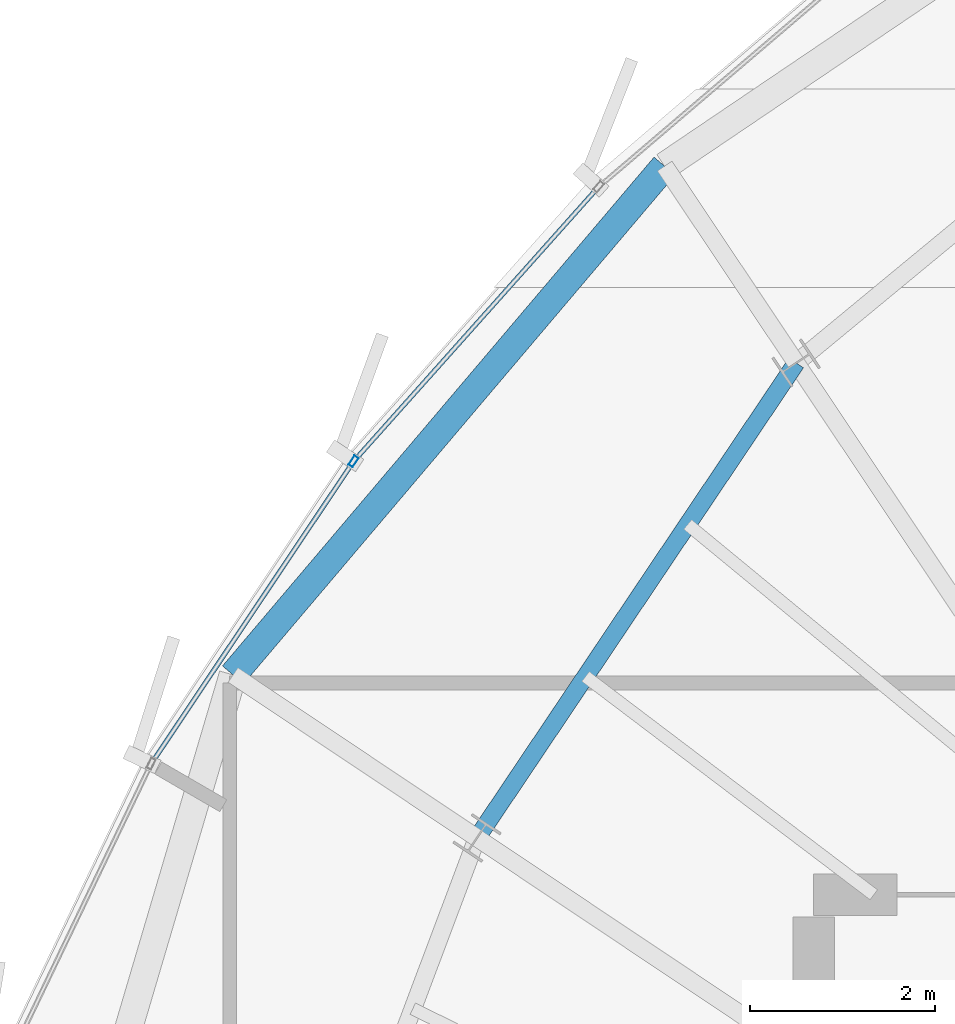
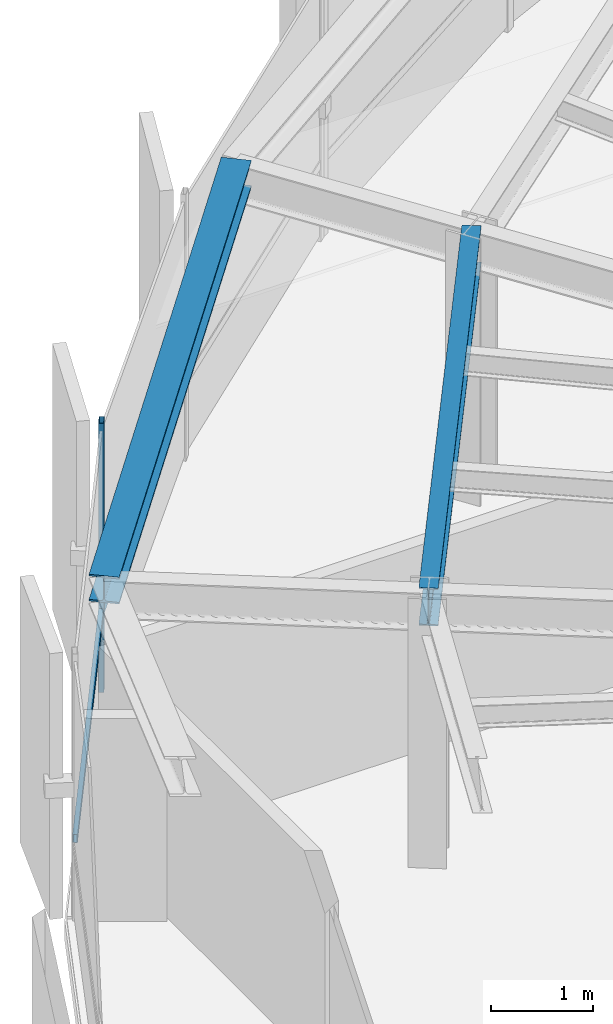
# One storey, part 17 of 31: 3 members, 2 beams, 1 element without a shape of its own.
"""IFC4 building model written with IfcOpenShell, lengths in metres."""

from ifc_helpers import new_model, si_unit, direction, frame, origin, origin_2d, place, context, subcontext, project, spatial, hollow_rectangle, i_section, extrude, source, transform, mapped, material, layer, layer_set, material_profile, profile_set, type_object, element, aggregate, save


model = new_model("IFC4")

# Units and contexts
model_context = context("Model", 3, precision=1e-05, world=origin(), true_north=direction((0.0, 1.0)))
body_context = subcontext(model_context, "Body", "Model", "MODEL_VIEW")
ifc_project = project(units=[si_unit("LENGTHUNIT", "METRE"), si_unit("AREAUNIT", "SQUARE_METRE"), si_unit("VOLUMEUNIT", "CUBIC_METRE"), si_unit("PLANEANGLEUNIT", "RADIAN"), si_unit("MASSUNIT", "GRAM", prefix="KILO"), si_unit("THERMODYNAMICTEMPERATUREUNIT", "KELVIN")], contexts=[model_context])

# Site, building, storey
site_placement = place(None, origin())
site = spatial("IfcSite", under=ifc_project, at=site_placement, CompositionType="ELEMENT")
building_placement = place(site_placement, origin())
building = spatial("IfcBuilding", under=site, at=building_placement, Name="Kethvar Cultural Tower", CompositionType="ELEMENT")
storey_placement = place(building_placement, frame((0.0, 0.0, 276.699951171875)))
storey = spatial("IfcBuildingStorey", under=building, at=storey_placement, Name="L73", CompositionType="ELEMENT", Elevation=276.699951171875)

# Beams
ifc_material_1 = material(Name="Steel S355J2", Category="steel")
ifc_material_profile_1 = material_profile(ifc_material_1, i_section(OverallWidth=0.18994140625, OverallDepth=0.449951171875, WebThickness=0.009521484375, FlangeThickness=0.0146484375, FilletRadius=0.02099609375, at=origin_2d()), Name="Steel S355J2 — IPE450")
ifc_profile_set_1 = profile_set([ifc_material_profile_1], Name="Steel S355J2 — IPE450")
beam_type_1 = type_object("IfcBeamType", Name="BM-IPE450", PredefinedType="BEAM", material=ifc_profile_set_1)
shared_shape_1 = source(origin(), body_context, "Body", "SweptSolid", [
    extrude(i_section(OverallWidth=0.18994140625, OverallDepth=0.449951171875, WebThickness=0.009521484375, FlangeThickness=0.0146484375, FilletRadius=0.02099609375, at=origin_2d()), origin(), (0.0, 0.0, 1.0), 6.192626953125),
])
beam_1_placement = place(storey_placement, frame((37.8095703125, 41.255126953125, 2.983154296875), z_axis=(-0.557698912025, -0.830043326295, 0.0), x_axis=(0.830043326295, -0.557698912025, 0.0)))
element("IfcBeam", 1, at=beam_1_placement, inside=storey, type_object=beam_type_1, Name="L73 Column Ring Tie Beam CR-06", PredefinedType="BEAM", context=body_context, shape_type="MappedRepresentation", body=[
    mapped(shared_shape_1, transform((0.0, 0.0, 0.0), scale=1.0)),
])
ifc_material_profile_2 = material_profile(ifc_material_1, i_section(OverallWidth=0.300048828125, OverallDepth=0.320068359375, WebThickness=0.011474609375, FlangeThickness=0.0205078125, FilletRadius=0.027099609375, at=origin_2d()), Name="Steel S355J2 — HEB320")
ifc_profile_set_2 = profile_set([ifc_material_profile_2], Name="Steel S355J2 — HEB320")
beam_type_2 = type_object("IfcBeamType", Name="BM-SP320", PredefinedType="SPANDREL", material=ifc_profile_set_2)
shared_shape_2 = source(origin(), body_context, "Body", "SweptSolid", [
    extrude(i_section(OverallWidth=0.300048828125, OverallDepth=0.320068359375, WebThickness=0.011474609375, FlangeThickness=0.0205078125, FilletRadius=0.027099609375, at=origin_2d()), origin(), (0.0, 0.0, 1.0), 7.22021484375),
])
beam_2_placement = place(storey_placement, frame((36.38623046875, 43.38525390625, 3.048095703125), z_axis=(-0.646881527506, -0.762590512249, 0.0), x_axis=(0.762590512249, -0.646881527506, 0.0)))
element("IfcBeam", 2, at=beam_2_placement, inside=storey, type_object=beam_type_2, Name="L73 Perimeter Spandrel Beam SP-06", PredefinedType="SPANDREL", context=body_context, shape_type="MappedRepresentation", body=[
    mapped(shared_shape_2, transform((0.0, 0.0, 0.0), scale=1.0)),
])

# Curtain wall, members
ifc_material_2 = material(Name="Aluminium 6063-T6", Category="aluminium")
ifc_layer = layer(ifc_material_2, 0.179931640625, Name="Aluminium 6063-T6", Category="aluminium")
ifc_layer_set = layer_set([ifc_layer], Name="Aluminium 6063-T6 (180 mm)")
curtain_wall_type = type_object("IfcCurtainWallType", Name="CW-SYS-05-Z56", PredefinedType="NOTDEFINED", material=ifc_layer_set)
curtain_wall_placement = place(storey_placement, origin())
curtain_wall = element("IfcCurtainWall", 3, at=curtain_wall_placement, inside=storey, type_object=curtain_wall_type, Name="L73 Curtain Wall Run 02", PredefinedType="NOTDEFINED")
ifc_material_profile_3 = material_profile(ifc_material_2, hollow_rectangle(XDim=0.054931640625, YDim=0.1201171875, WallThickness=0.00390625, at=origin_2d()), Name="Aluminium 6063-T6 — RHS120x55x4")
ifc_profile_set_3 = profile_set([ifc_material_profile_3], Name="Aluminium 6063-T6 — RHS120x55x4")
member_type_1 = type_object("IfcMemberType", Name="CW-SYS-05-Z56-MUL", PredefinedType="MULLION", material=ifc_profile_set_3)
shared_shape_3 = source(origin(), body_context, "Body", "SweptSolid", [
    extrude(hollow_rectangle(XDim=0.054931640625, YDim=0.1201171875, WallThickness=0.00390625, at=origin_2d()), origin(), (0.0, 0.0, 1.0), 3.2099609375),
])
member_1_placement = place(storey_placement, frame((33.01953125, 40.189697265625, 0.0), z_axis=(0.0, 0.0, 1.0), x_axis=(0.831217416928, -0.555947484746, 0.0)))
member_1 = element("IfcMember", 4, at=member_1_placement, type_object=member_type_1, Name="CW-L73-R02 Mullion 3", PredefinedType="MULLION", context=body_context, shape_type="MappedRepresentation", body=[
    mapped(shared_shape_3, transform((0.0, 0.0, 0.0), scale=1.0)),
])
ifc_material_profile_4 = material_profile(ifc_material_2, hollow_rectangle(XDim=0.050048828125, YDim=0.10009765625, WallThickness=0.00390625, at=origin_2d()), Name="Aluminium 6063-T6 — RHS100x50x4")
ifc_profile_set_4 = profile_set([ifc_material_profile_4], Name="Aluminium 6063-T6 — RHS100x50x4")
member_type_2 = type_object("IfcMemberType", Name="CW-SYS-05-Z56-TRN", PredefinedType="USERDEFINED", material=ifc_profile_set_4)
shared_shape_4 = source(origin(), body_context, "Body", "SweptSolid", [
    extrude(hollow_rectangle(XDim=0.050048828125, YDim=0.10009765625, WallThickness=0.00390625, at=origin_2d()), origin(), (0.0, 0.0, 1.0), 3.917724609375),
])
member_2_placement = place(storey_placement, frame((35.64599609375, 43.131591796875, 0.949951171875), z_axis=(-0.66583619071, -0.746097960821, 0.0), x_axis=(0.746097960821, -0.66583619071, 0.0)))
member_2 = element("IfcMember", 5, at=member_2_placement, type_object=member_type_2, Name="CW-L73-R02 Transom 2", ObjectType="TRANSOM", PredefinedType="USERDEFINED", context=body_context, shape_type="MappedRepresentation", body=[
    mapped(shared_shape_4, transform((0.0, 0.0, 0.0), scale=1.0)),
])
shared_shape_5 = source(origin(), body_context, "Body", "SweptSolid", [
    extrude(hollow_rectangle(XDim=0.050048828125, YDim=0.10009765625, WallThickness=0.00390625, at=origin_2d()), origin(), (0.0, 0.0, 1.0), 3.872802734375),
])
member_3_placement = place(storey_placement, frame((32.99755859375, 40.156982421875, 0.949951171875), z_axis=(-0.555965238923, -0.831205542035, 0.0), x_axis=(0.831205542035, -0.555965238923, 0.0)))
member_3 = element("IfcMember", 6, at=member_3_placement, type_object=member_type_2, Name="CW-L73-R02 Transom 3", ObjectType="TRANSOM", PredefinedType="USERDEFINED", context=body_context, shape_type="MappedRepresentation", body=[
    mapped(shared_shape_5, transform((0.0, 0.0, 0.0), scale=1.0)),
])
aggregate(curtain_wall, [member_1, member_2, member_3])

save(model, "model.ifc")
